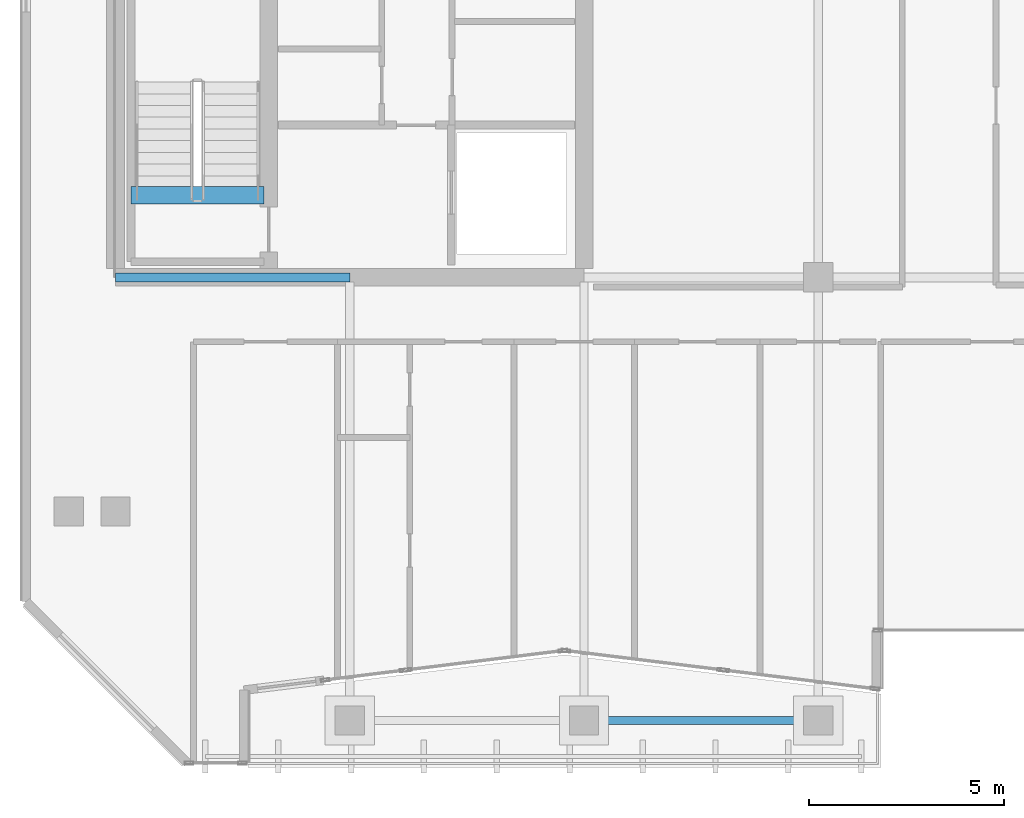
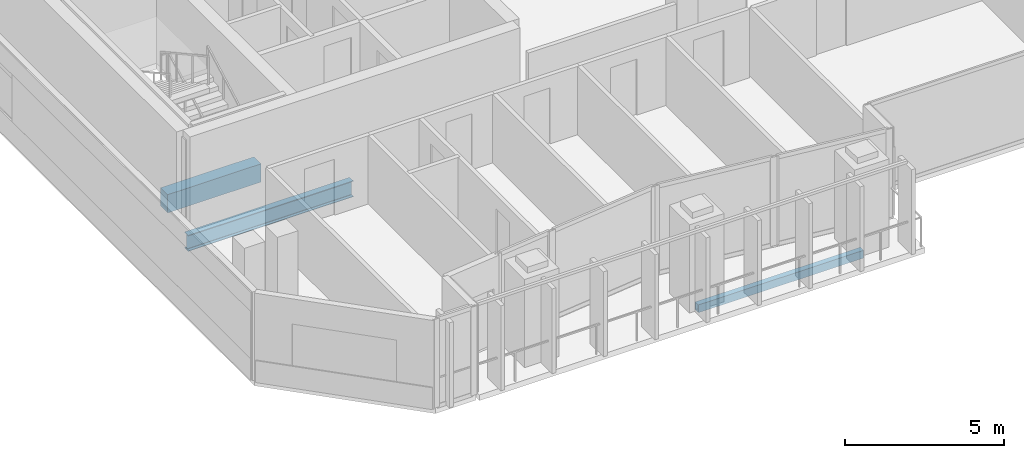
# One storey, part 3 of 31: 3 beams.
"""IFC4 building model written with IfcOpenShell, lengths in metres."""

from ifc_helpers import new_model, si_unit, direction, frame, origin, origin_2d, place, context, subcontext, project, spatial, rectangle, hollow_rectangle, i_section, extrude, material, material_profile, profile_set, type_object, element, save


model = new_model("IFC4")

# Units and contexts
model_context = context("Model", 3, precision=1e-05, world=origin(), true_north=direction((0.0, 1.0)))
body_context = subcontext(model_context, "Body", "Model", "MODEL_VIEW")
ifc_project = project(units=[si_unit("LENGTHUNIT", "METRE"), si_unit("AREAUNIT", "SQUARE_METRE"), si_unit("VOLUMEUNIT", "CUBIC_METRE"), si_unit("PLANEANGLEUNIT", "RADIAN"), si_unit("MASSUNIT", "GRAM", prefix="KILO")], contexts=[model_context])

# Site, building, storey
site_placement = place(None, origin())
site = spatial("IfcSite", under=ifc_project, at=site_placement, CompositionType="ELEMENT")
building_placement = place(site_placement, origin())
building = spatial("IfcBuilding", under=site, at=building_placement, Name="Tanjung Sevakor Pilgrim Tower", CompositionType="ELEMENT")
storey_placement = place(building_placement, frame((0.0, 0.0, 208.22998046875)))
storey = spatial("IfcBuildingStorey", under=building, at=storey_placement, Name="L58", CompositionType="ELEMENT", Elevation=208.22998046875)

# Beams
ifc_material_1 = material(Name="Steel S355J2", Category="steel")
ifc_material_profile_1 = material_profile(ifc_material_1, i_section(OverallWidth=0.22900390625, OverallDepth=0.6123046875, WebThickness=0.011962890625, FlangeThickness=0.01953125, FilletRadius=0.0126953125, at=origin_2d()))
ifc_profile_set_1 = profile_set([ifc_material_profile_1], Name="Steel S355J2")
beam_type_1 = type_object("IfcBeamType", Name="BM-B-G4-UB_610x229x125", PredefinedType="BEAM", material=ifc_profile_set_1)
beam_1_placement = place(storey_placement, frame((24.0, 24.60009765625, -0.526123046875), z_axis=(1.0, 0.0, 0.0), x_axis=(0.0, 1.0, 0.0)))
element("IfcBeam", 1, at=beam_1_placement, inside=storey, type_object=beam_type_1, Name="L58 Primary Floor Girder MAIN Y246-01", PredefinedType="BEAM", context=body_context, shape_type="SweptSolid", body=[
    extrude(i_section(OverallWidth=0.22900390625, OverallDepth=0.6123046875, WebThickness=0.011962890625, FlangeThickness=0.01953125, FilletRadius=0.0126953125, at=origin_2d()), origin(), (0.0, 0.0, 1.0), 6.0),
])
ifc_material_2 = material(Name="Concrete C60/75", Category="concrete")
ifc_material_profile_2 = material_profile(ifc_material_2, rectangle(XDim=0.449951171875, YDim=0.699951171875, at=origin_2d()))
ifc_profile_set_2 = profile_set([ifc_material_profile_2], Name="Concrete C60/75")
beam_type_2 = type_object("IfcBeamType", Name="BM-B-LN3-RC-BM_450x700", PredefinedType="LINTEL", material=ifc_profile_set_2)
beam_2_placement = place(storey_placement, frame((24.39990234375, 26.699951171875, -0.35009765625), z_axis=(1.0, 0.0, 0.0), x_axis=(0.0, 1.0, 0.0)))
element("IfcBeam", 2, at=beam_2_placement, inside=storey, type_object=beam_type_2, Name="L58 TS-W1 Stair Threshold Beam", PredefinedType="LINTEL", context=body_context, shape_type="SweptSolid", body=[
    extrude(rectangle(XDim=0.449951171875, YDim=0.699951171875, at=origin_2d()), origin(), (0.0, 0.0, 1.0), 3.400146484375),
])
ifc_material_3 = material(Name="Steel S355J2", Category="steel")
ifc_material_profile_3 = material_profile(ifc_material_3, hollow_rectangle(XDim=0.199951171875, YDim=0.300048828125, WallThickness=0.012451171875, at=origin_2d()))
ifc_profile_set_3 = profile_set([ifc_material_profile_3], Name="Steel S355J2")
beam_type_3 = type_object("IfcBeamType", Name="BM-B-SP3-RHS_300x200x12.5", PredefinedType="SPANDREL", material=ifc_profile_set_3)
beam_3_placement = place(storey_placement, frame((36.0, 13.25, -0.369873046875), z_axis=(1.0, 0.0, 0.0), x_axis=(0.0, 1.0, 0.0)))
element("IfcBeam", 3, at=beam_3_placement, inside=storey, type_object=beam_type_3, Name="L58 Spandrel MAIN S-03", PredefinedType="SPANDREL", context=body_context, shape_type="SweptSolid", body=[
    extrude(hollow_rectangle(XDim=0.199951171875, YDim=0.300048828125, WallThickness=0.012451171875, at=origin_2d()), origin(), (0.0, 0.0, 1.0), 6.0),
])

save(model, "model.ifc")
